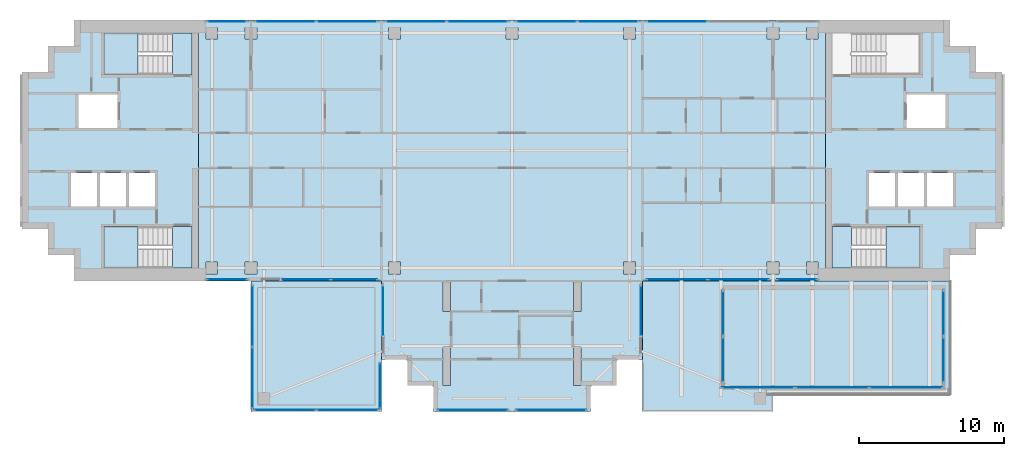
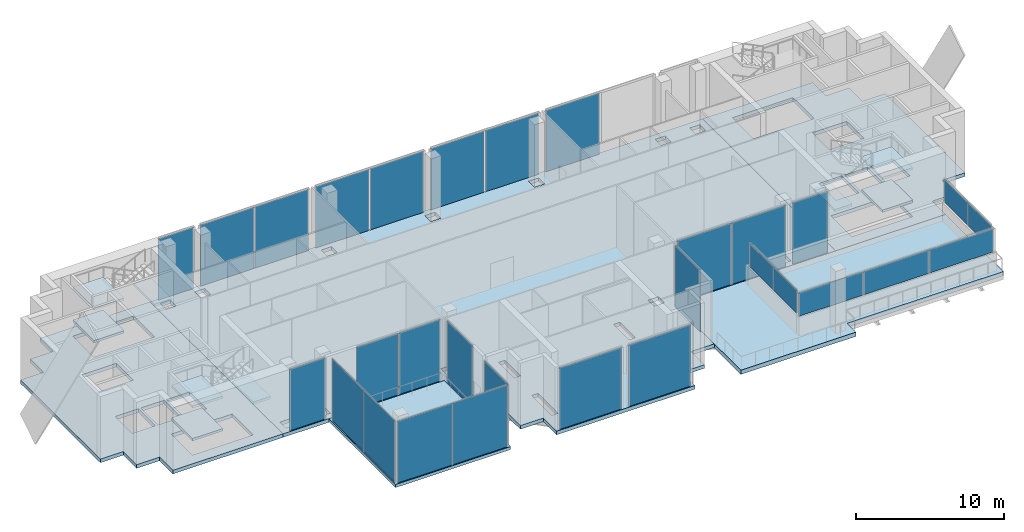
# One storey, part 5 of 14: 30 plates, 14 slabs, 22 elements without a shape of their own.
"""IFC4 building model written with IfcOpenShell, lengths in metres."""

from ifc_helpers import new_model, si_unit, direction, frame, origin, origin_2d, place, context, subcontext, project, spatial, polyline, rectangle, outline, extrude, material, layer, layer_set, type_object, element, aggregate, save


model = new_model("IFC4")

# Units and contexts
model_context = context("Model", 3, precision=1e-05, world=origin(), true_north=direction((0.0, 1.0)))
body_context = subcontext(model_context, "Body", "Model", "MODEL_VIEW")
ifc_project = project(units=[si_unit("LENGTHUNIT", "METRE"), si_unit("AREAUNIT", "SQUARE_METRE"), si_unit("VOLUMEUNIT", "CUBIC_METRE"), si_unit("PLANEANGLEUNIT", "RADIAN"), si_unit("MASSUNIT", "GRAM", prefix="KILO")], contexts=[model_context])

# Site, building, storey
site_placement = place(None, origin())
site = spatial("IfcSite", under=ifc_project, at=site_placement, CompositionType="ELEMENT")
building_placement = place(site_placement, origin())
building = spatial("IfcBuilding", under=site, at=building_placement, Name="Perihelion Cross Residences", CompositionType="ELEMENT")
storey_placement = place(building_placement, frame((0.0, 0.0, 285.0)))
storey = spatial("IfcBuildingStorey", under=building, at=storey_placement, Name="L73", CompositionType="ELEMENT", Elevation=285.0)

# Curtain wall, plate
ifc_material_1 = material(Name="Bronze anodised aluminium, tinted glazing", Category="aluminium")
curtain_wall_type_1 = type_object("IfcCurtainWallType", Name="CW3", PredefinedType="NOTDEFINED", material=ifc_material_1)
curtain_wall_1_placement = place(storey_placement, origin())
curtain_wall_1 = element("IfcCurtainWall", 1, at=curtain_wall_1_placement, inside=storey, type_object=curtain_wall_type_1, Name="Curtain wall CW3 L73 east side north bay 2", PredefinedType="NOTDEFINED")
ifc_material_2 = material(Name="Tinted laminated glass", Category="glass")
ifc_layer_1 = layer(ifc_material_2, 0.035888671875)
ifc_layer_set_1 = layer_set([ifc_layer_1], Name="CW3 panel")
plate_type_1 = type_object("IfcPlateType", Name="CW3 panel", PredefinedType="CURTAIN_PANEL", material=ifc_layer_set_1)
plate_1_placement = place(storey_placement, frame((11.3701171875, 8.89990234375, 0.0), z_axis=(0.0, 0.0, 1.0), x_axis=(-1.0, 0.0, 0.0)))
plate_1 = element("IfcPlate", 2, at=plate_1_placement, type_object=plate_type_1, Name="CW3 panel 2", PredefinedType="CURTAIN_PANEL", context=body_context, shape_type="SweptSolid", body=[
    extrude(rectangle(XDim=4.179931640625, YDim=0.035888671875, at=origin_2d()), origin(), (0.0, 0.0, 1.0), 5.070068359375),
])
aggregate(curtain_wall_1, [plate_1])

# Curtain wall, plates
curtain_wall_2_placement = place(storey_placement, origin())
curtain_wall_2 = element("IfcCurtainWall", 3, at=curtain_wall_2_placement, inside=storey, type_object=curtain_wall_type_1, Name="Curtain wall CW3 L73 north side east bay 1", PredefinedType="NOTDEFINED")
plate_2_placement = place(storey_placement, frame((6.6298828125, 8.89990234375, 0.0), z_axis=(0.0, 0.0, 1.0), x_axis=(-1.0, 0.0, 0.0)))
plate_2 = element("IfcPlate", 4, at=plate_2_placement, type_object=plate_type_1, Name="CW3 panel 1", PredefinedType="CURTAIN_PANEL", context=body_context, shape_type="SweptSolid", body=[
    extrude(rectangle(XDim=4.179931640625, YDim=0.035888671875, at=origin_2d()), origin(), (0.0, 0.0, 1.0), 5.070068359375),
])
plate_3_placement = place(storey_placement, frame((2.3701171875, 8.89990234375, 0.0), z_axis=(0.0, 0.0, 1.0), x_axis=(-1.0, 0.0, 0.0)))
plate_3 = element("IfcPlate", 5, at=plate_3_placement, type_object=plate_type_1, Name="CW3 panel 2", PredefinedType="CURTAIN_PANEL", context=body_context, shape_type="SweptSolid", body=[
    extrude(rectangle(XDim=4.179931640625, YDim=0.035888671875, at=origin_2d()), origin(), (0.0, 0.0, 1.0), 5.070068359375),
])
aggregate(curtain_wall_2, [plate_2, plate_3])

curtain_wall_3_placement = place(storey_placement, origin())
curtain_wall_3 = element("IfcCurtainWall", 6, at=curtain_wall_3_placement, inside=storey, type_object=curtain_wall_type_1, Name="Curtain wall CW3 L73 north side east bay 2", PredefinedType="NOTDEFINED")
plate_4_placement = place(storey_placement, frame((-2.3701171875, 8.89990234375, 0.0), z_axis=(0.0, 0.0, 1.0), x_axis=(-1.0, 0.0, 0.0)))
plate_4 = element("IfcPlate", 7, at=plate_4_placement, type_object=plate_type_1, Name="CW3 panel 1", PredefinedType="CURTAIN_PANEL", context=body_context, shape_type="SweptSolid", body=[
    extrude(rectangle(XDim=4.179931640625, YDim=0.035888671875, at=origin_2d()), origin(), (0.0, 0.0, 1.0), 5.070068359375),
])
plate_5_placement = place(storey_placement, frame((-6.6298828125, 8.89990234375, 0.0), z_axis=(0.0, 0.0, 1.0), x_axis=(-1.0, 0.0, 0.0)))
plate_5 = element("IfcPlate", 8, at=plate_5_placement, type_object=plate_type_1, Name="CW3 panel 2", PredefinedType="CURTAIN_PANEL", context=body_context, shape_type="SweptSolid", body=[
    extrude(rectangle(XDim=4.179931640625, YDim=0.035888671875, at=origin_2d()), origin(), (0.0, 0.0, 1.0), 5.070068359375),
])
aggregate(curtain_wall_3, [plate_4, plate_5])

curtain_wall_4_placement = place(storey_placement, origin())
curtain_wall_4 = element("IfcCurtainWall", 9, at=curtain_wall_4_placement, inside=storey, type_object=curtain_wall_type_1, Name="Curtain wall CW3 L73 west side north bay 1", PredefinedType="NOTDEFINED")
plate_6_placement = place(storey_placement, frame((-11.3701171875, 8.89990234375, 0.0), z_axis=(0.0, 0.0, 1.0), x_axis=(-1.0, 0.0, 0.0)))
plate_6 = element("IfcPlate", 10, at=plate_6_placement, type_object=plate_type_1, Name="CW3 panel 1", PredefinedType="CURTAIN_PANEL", context=body_context, shape_type="SweptSolid", body=[
    extrude(rectangle(XDim=4.179931640625, YDim=0.035888671875, at=origin_2d()), origin(), (0.0, 0.0, 1.0), 5.070068359375),
])
plate_7_placement = place(storey_placement, frame((-15.6298828125, 8.89990234375, 0.0), z_axis=(0.0, 0.0, 1.0), x_axis=(-1.0, 0.0, 0.0)))
plate_7 = element("IfcPlate", 11, at=plate_7_placement, type_object=plate_type_1, Name="CW3 panel 2", PredefinedType="CURTAIN_PANEL", context=body_context, shape_type="SweptSolid", body=[
    extrude(rectangle(XDim=4.179931640625, YDim=0.035888671875, at=origin_2d()), origin(), (0.0, 0.0, 1.0), 5.070068359375),
])
aggregate(curtain_wall_4, [plate_6, plate_7])

# Curtain wall, plate
curtain_wall_5_placement = place(storey_placement, origin())
curtain_wall_5 = element("IfcCurtainWall", 12, at=curtain_wall_5_placement, inside=storey, type_object=curtain_wall_type_1, Name="Curtain wall CW3 L73 west side north bay 2", PredefinedType="NOTDEFINED")
plate_8_placement = place(storey_placement, frame((-19.64990234375, 8.89990234375, 0.0), z_axis=(0.0, 0.0, 1.0), x_axis=(-1.0, 0.0, 0.0)))
plate_8 = element("IfcPlate", 13, at=plate_8_placement, type_object=plate_type_1, Name="CW3 panel 1", PredefinedType="CURTAIN_PANEL", context=body_context, shape_type="SweptSolid", body=[
    extrude(rectangle(XDim=2.739990234375, YDim=0.035888671875, at=origin_2d()), origin(), (0.0, 0.0, 1.0), 5.070068359375),
])
aggregate(curtain_wall_5, [plate_8])

curtain_wall_6_placement = place(storey_placement, origin())
curtain_wall_6 = element("IfcCurtainWall", 14, at=curtain_wall_6_placement, inside=storey, type_object=curtain_wall_type_1, Name="Curtain wall CW3 L73 west side south bay 1", PredefinedType="NOTDEFINED")
plate_9_placement = place(storey_placement, frame((-19.64990234375, -8.89990234375, 0.0), z_axis=(0.0, 0.0, 1.0), x_axis=(1.0, 0.0, 0.0)))
plate_9 = element("IfcPlate", 15, at=plate_9_placement, type_object=plate_type_1, Name="CW3 panel 1", PredefinedType="CURTAIN_PANEL", context=body_context, shape_type="SweptSolid", body=[
    extrude(rectangle(XDim=2.739990234375, YDim=0.035888671875, at=origin_2d()), origin(), (0.0, 0.0, 1.0), 5.070068359375),
])
aggregate(curtain_wall_6, [plate_9])

# Curtain wall, plates
curtain_wall_7_placement = place(storey_placement, origin())
curtain_wall_7 = element("IfcCurtainWall", 16, at=curtain_wall_7_placement, inside=storey, type_object=curtain_wall_type_1, Name="Curtain wall CW3 L73 west side south bay 2", PredefinedType="NOTDEFINED")
plate_10_placement = place(storey_placement, frame((-14.169921875, -8.89990234375, 0.0), z_axis=(0.0, 0.0, 1.0), x_axis=(1.0, 0.0, 0.0)))
plate_10 = element("IfcPlate", 17, at=plate_10_placement, type_object=plate_type_1, Name="CW3 panel 1", PredefinedType="CURTAIN_PANEL", context=body_context, shape_type="SweptSolid", body=[
    extrude(rectangle(XDim=3.260009765625, YDim=0.035888671875, at=origin_2d()), origin(), (0.0, 0.0, 1.0), 5.070068359375),
])
plate_11_placement = place(storey_placement, frame((-10.8701171875, -8.89990234375, 0.0), z_axis=(0.0, 0.0, 1.0), x_axis=(1.0, 0.0, 0.0)))
plate_11 = element("IfcPlate", 18, at=plate_11_placement, type_object=plate_type_1, Name="CW3 panel 2", PredefinedType="CURTAIN_PANEL", context=body_context, shape_type="SweptSolid", body=[
    extrude(rectangle(XDim=3.179931640625, YDim=0.035888671875, at=origin_2d()), origin(), (0.0, 0.0, 1.0), 5.070068359375),
])
aggregate(curtain_wall_7, [plate_10, plate_11])

# Curtain wall, plate
curtain_wall_8_placement = place(storey_placement, origin())
curtain_wall_8 = element("IfcCurtainWall", 19, at=curtain_wall_8_placement, inside=storey, type_object=curtain_wall_type_1, Name="Curtain wall CW3 L73 south side west bay 1", PredefinedType="NOTDEFINED")
plate_12_placement = place(storey_placement, frame((-8.89990234375, -10.989990234375, 0.0), z_axis=(0.0, 0.0, 1.0), x_axis=(0.0, -1.0, 0.0)))
plate_12 = element("IfcPlate", 20, at=plate_12_placement, type_object=plate_type_1, Name="CW3 panel 1", PredefinedType="CURTAIN_PANEL", context=body_context, shape_type="SweptSolid", body=[
    extrude(rectangle(XDim=3.419921875, YDim=0.035888671875, at=origin_2d()), origin(), (0.0, 0.0, 1.0), 5.070068359375),
])
aggregate(curtain_wall_8, [plate_12])

curtain_wall_9_placement = place(storey_placement, origin())
curtain_wall_9 = element("IfcCurtainWall", 21, at=curtain_wall_9_placement, inside=storey, type_object=curtain_wall_type_1, Name="Curtain wall CW3 L73 south tip south bay 1", PredefinedType="NOTDEFINED")
plate_13_placement = place(storey_placement, frame((-2.699951171875, -17.89990234375, 0.0), z_axis=(0.0, 0.0, 1.0), x_axis=(1.0, 0.0, 0.0)))
plate_13 = element("IfcPlate", 22, at=plate_13_placement, type_object=plate_type_1, Name="CW3 panel 1", PredefinedType="CURTAIN_PANEL", context=body_context, shape_type="SweptSolid", body=[
    extrude(rectangle(XDim=4.840087890625, YDim=0.035888671875, at=origin_2d()), origin(), (0.0, 0.0, 1.0), 5.070068359375),
])
aggregate(curtain_wall_9, [plate_13])

curtain_wall_10_placement = place(storey_placement, origin())
curtain_wall_10 = element("IfcCurtainWall", 23, at=curtain_wall_10_placement, inside=storey, type_object=curtain_wall_type_1, Name="Curtain wall CW3 L73 south tip south bay 2", PredefinedType="NOTDEFINED")
plate_14_placement = place(storey_placement, frame((2.699951171875, -17.89990234375, 0.0), z_axis=(0.0, 0.0, 1.0), x_axis=(1.0, 0.0, 0.0)))
plate_14 = element("IfcPlate", 24, at=plate_14_placement, type_object=plate_type_1, Name="CW3 panel 1", PredefinedType="CURTAIN_PANEL", context=body_context, shape_type="SweptSolid", body=[
    extrude(rectangle(XDim=4.840087890625, YDim=0.035888671875, at=origin_2d()), origin(), (0.0, 0.0, 1.0), 5.070068359375),
])
aggregate(curtain_wall_10, [plate_14])

curtain_wall_11_placement = place(storey_placement, origin())
curtain_wall_11 = element("IfcCurtainWall", 25, at=curtain_wall_11_placement, inside=storey, type_object=curtain_wall_type_1, Name="Curtain wall CW3 L73 south side east bay 1", PredefinedType="NOTDEFINED")
plate_15_placement = place(storey_placement, frame((8.89990234375, -10.989990234375, 0.0), z_axis=(0.0, 0.0, 1.0), x_axis=(0.0, 1.0, 0.0)))
plate_15 = element("IfcPlate", 26, at=plate_15_placement, type_object=plate_type_1, Name="CW3 panel 1", PredefinedType="CURTAIN_PANEL", context=body_context, shape_type="SweptSolid", body=[
    extrude(rectangle(XDim=3.419921875, YDim=0.035888671875, at=origin_2d()), origin(), (0.0, 0.0, 1.0), 5.070068359375),
])
aggregate(curtain_wall_11, [plate_15])

# Curtain wall, plates
curtain_wall_12_placement = place(storey_placement, origin())
curtain_wall_12 = element("IfcCurtainWall", 27, at=curtain_wall_12_placement, inside=storey, type_object=curtain_wall_type_1, Name="Curtain wall CW3 L73 east side south bay 1", PredefinedType="NOTDEFINED")
plate_16_placement = place(storey_placement, frame((11.3701171875, -8.89990234375, 0.0), z_axis=(0.0, 0.0, 1.0), x_axis=(1.0, 0.0, 0.0)))
plate_16 = element("IfcPlate", 28, at=plate_16_placement, type_object=plate_type_1, Name="CW3 panel 1", PredefinedType="CURTAIN_PANEL", context=body_context, shape_type="SweptSolid", body=[
    extrude(rectangle(XDim=4.179931640625, YDim=0.035888671875, at=origin_2d()), origin(), (0.0, 0.0, 1.0), 5.070068359375),
])
plate_17_placement = place(storey_placement, frame((15.6298828125, -8.89990234375, 0.0), z_axis=(0.0, 0.0, 1.0), x_axis=(1.0, 0.0, 0.0)))
plate_17 = element("IfcPlate", 29, at=plate_17_placement, type_object=plate_type_1, Name="CW3 panel 2", PredefinedType="CURTAIN_PANEL", context=body_context, shape_type="SweptSolid", body=[
    extrude(rectangle(XDim=4.179931640625, YDim=0.035888671875, at=origin_2d()), origin(), (0.0, 0.0, 1.0), 5.070068359375),
])
aggregate(curtain_wall_12, [plate_16, plate_17])

# Curtain wall, plate
curtain_wall_13_placement = place(storey_placement, origin())
curtain_wall_13 = element("IfcCurtainWall", 30, at=curtain_wall_13_placement, inside=storey, type_object=curtain_wall_type_1, Name="Curtain wall CW3 L73 east side south bay 2", PredefinedType="NOTDEFINED")
plate_18_placement = place(storey_placement, frame((19.64990234375, -8.89990234375, 0.0), z_axis=(0.0, 0.0, 1.0), x_axis=(1.0, 0.0, 0.0)))
plate_18 = element("IfcPlate", 31, at=plate_18_placement, type_object=plate_type_1, Name="CW3 panel 1", PredefinedType="CURTAIN_PANEL", context=body_context, shape_type="SweptSolid", body=[
    extrude(rectangle(XDim=2.739990234375, YDim=0.035888671875, at=origin_2d()), origin(), (0.0, 0.0, 1.0), 5.070068359375),
])
aggregate(curtain_wall_13, [plate_18])

# Curtain wall, plates
curtain_wall_14_placement = place(storey_placement, origin())
curtain_wall_14 = element("IfcCurtainWall", 32, at=curtain_wall_14_placement, inside=storey, type_object=curtain_wall_type_1, Name="Curtain wall CW3 L73 pool no. 2", PredefinedType="NOTDEFINED")
plate_19_placement = place(storey_placement, frame((16.978271484375, -16.35009765625, 1.550048828125), z_axis=(0.0, 0.0, 1.0), x_axis=(1.0, 0.0, 0.0)))
plate_19 = element("IfcPlate", 33, at=plate_19_placement, type_object=plate_type_1, Name="CW3 panel 1", PredefinedType="CURTAIN_PANEL", context=body_context, shape_type="SweptSolid", body=[
    extrude(rectangle(XDim=4.99658203125, YDim=0.035888671875, at=origin_2d()), origin(), (0.0, 0.0, 1.0), 1.919921875),
])
plate_20_placement = place(storey_placement, frame((22.074951171875, -16.35009765625, 1.550048828125), z_axis=(0.0, 0.0, 1.0), x_axis=(1.0, 0.0, 0.0)))
plate_20 = element("IfcPlate", 34, at=plate_20_placement, type_object=plate_type_1, Name="CW3 panel 2", PredefinedType="CURTAIN_PANEL", context=body_context, shape_type="SweptSolid", body=[
    extrude(rectangle(XDim=5.03662109375, YDim=0.035888671875, at=origin_2d()), origin(), (0.0, 0.0, 1.0), 1.919921875),
])
plate_21_placement = place(storey_placement, frame((27.171630859375, -16.35009765625, 1.550048828125), z_axis=(0.0, 0.0, 1.0), x_axis=(1.0, 0.0, 0.0)))
plate_21 = element("IfcPlate", 35, at=plate_21_placement, type_object=plate_type_1, Name="CW3 panel 3", PredefinedType="CURTAIN_PANEL", context=body_context, shape_type="SweptSolid", body=[
    extrude(rectangle(XDim=4.99658203125, YDim=0.035888671875, at=origin_2d()), origin(), (0.0, 0.0, 1.0), 1.919921875),
])
aggregate(curtain_wall_14, [plate_19, plate_20, plate_21])

curtain_wall_15_placement = place(storey_placement, origin())
curtain_wall_15 = element("IfcCurtainWall", 36, at=curtain_wall_15_placement, inside=storey, type_object=curtain_wall_type_1, Name="Curtain wall CW3 L73 pool no. 1", PredefinedType="NOTDEFINED")
plate_22_placement = place(storey_placement, frame((29.75, -14.41748046875, 1.550048828125), z_axis=(0.0, 0.0, 1.0), x_axis=(0.0, 1.0, 0.0)))
plate_22 = element("IfcPlate", 37, at=plate_22_placement, type_object=plate_type_1, Name="CW3 panel 1", PredefinedType="CURTAIN_PANEL", context=body_context, shape_type="SweptSolid", body=[
    extrude(rectangle(XDim=3.10498046875, YDim=0.035888671875, at=origin_2d()), origin(), (0.0, 0.0, 1.0), 1.919921875),
])
plate_23_placement = place(storey_placement, frame((29.75, -11.232421875, 1.550048828125), z_axis=(0.0, 0.0, 1.0), x_axis=(0.0, 1.0, 0.0)))
plate_23 = element("IfcPlate", 38, at=plate_23_placement, type_object=plate_type_1, Name="CW3 panel 2", PredefinedType="CURTAIN_PANEL", context=body_context, shape_type="SweptSolid", body=[
    extrude(rectangle(XDim=3.10498046875, YDim=0.035888671875, at=origin_2d()), origin(), (0.0, 0.0, 1.0), 1.919921875),
])
aggregate(curtain_wall_15, [plate_22, plate_23])

curtain_wall_16_placement = place(storey_placement, origin())
curtain_wall_16 = element("IfcCurtainWall", 39, at=curtain_wall_16_placement, inside=storey, type_object=curtain_wall_type_1, Name="Curtain wall CW3 L73 pool no. 3", PredefinedType="NOTDEFINED")
plate_24_placement = place(storey_placement, frame((14.550048828125, -14.41748046875, 1.550048828125), z_axis=(0.0, 0.0, 1.0), x_axis=(0.0, 1.0, 0.0)))
plate_24 = element("IfcPlate", 40, at=plate_24_placement, type_object=plate_type_1, Name="CW3 panel 1", PredefinedType="CURTAIN_PANEL", context=body_context, shape_type="SweptSolid", body=[
    extrude(rectangle(XDim=3.10498046875, YDim=0.035888671875, at=origin_2d()), origin(), (0.0, 0.0, 1.0), 1.919921875),
])
plate_25_placement = place(storey_placement, frame((14.550048828125, -11.232421875, 1.550048828125), z_axis=(0.0, 0.0, 1.0), x_axis=(0.0, 1.0, 0.0)))
plate_25 = element("IfcPlate", 41, at=plate_25_placement, type_object=plate_type_1, Name="CW3 panel 2", PredefinedType="CURTAIN_PANEL", context=body_context, shape_type="SweptSolid", body=[
    extrude(rectangle(XDim=3.10498046875, YDim=0.035888671875, at=origin_2d()), origin(), (0.0, 0.0, 1.0), 1.919921875),
])
aggregate(curtain_wall_16, [plate_24, plate_25])

# Curtain wall, plate
ifc_material_3 = material(Name="Bronze anodised aluminium, tinted glazing", Category="aluminium")
curtain_wall_type_2 = type_object("IfcCurtainWallType", Name="CW4", PredefinedType="NOTDEFINED", material=ifc_material_3)
curtain_wall_17_placement = place(storey_placement, origin())
curtain_wall_17 = element("IfcCurtainWall", 42, at=curtain_wall_17_placement, inside=storey, type_object=curtain_wall_type_2, Name="Curtain wall CW4 L73 pocket south-west 1 1", PredefinedType="NOTDEFINED")
ifc_material_4 = material(Name="Tinted laminated glass", Category="glass")
ifc_layer_2 = layer(ifc_material_4, 0.030029296875)
ifc_layer_set_2 = layer_set([ifc_layer_2], Name="CW4 panel")
plate_type_2 = type_object("IfcPlateType", Name="CW4 panel", PredefinedType="CURTAIN_PANEL", material=ifc_layer_set_2)
plate_26_placement = place(storey_placement, frame((-9.10009765625, -16.2294921875, 0.0), z_axis=(0.0, 0.0, 1.0), x_axis=(0.0, -1.0, 0.0)))
plate_26 = element("IfcPlate", 43, at=plate_26_placement, type_object=plate_type_2, Name="CW4 panel 1", PredefinedType="CURTAIN_PANEL", context=body_context, shape_type="SweptSolid", body=[
    extrude(rectangle(XDim=3.0810546875, YDim=0.030029296875, at=origin_2d()), origin(), (0.0, 0.0, 1.0), 5.090087890625),
])
aggregate(curtain_wall_17, [plate_26])

# Curtain wall, plates
curtain_wall_18_placement = place(storey_placement, origin())
curtain_wall_18 = element("IfcCurtainWall", 44, at=curtain_wall_18_placement, inside=storey, type_object=curtain_wall_type_2, Name="Curtain wall CW4 L73 pocket south-west 1 2", PredefinedType="NOTDEFINED")
plate_27_placement = place(storey_placement, frame((-11.35009765625, -17.89990234375, 0.0), z_axis=(0.0, 0.0, 1.0), x_axis=(-1.0, 0.0, 0.0)))
plate_27 = element("IfcPlate", 45, at=plate_27_placement, type_object=plate_type_2, Name="CW4 panel 1", PredefinedType="CURTAIN_PANEL", context=body_context, shape_type="SweptSolid", body=[
    extrude(rectangle(XDim=4.239990234375, YDim=0.030029296875, at=origin_2d()), origin(), (0.0, 0.0, 1.0), 5.090087890625),
])
plate_28_placement = place(storey_placement, frame((-15.64990234375, -17.89990234375, 0.0), z_axis=(0.0, 0.0, 1.0), x_axis=(-1.0, 0.0, 0.0)))
plate_28 = element("IfcPlate", 46, at=plate_28_placement, type_object=plate_type_2, Name="CW4 panel 2", PredefinedType="CURTAIN_PANEL", context=body_context, shape_type="SweptSolid", body=[
    extrude(rectangle(XDim=4.239990234375, YDim=0.030029296875, at=origin_2d()), origin(), (0.0, 0.0, 1.0), 5.090087890625),
])
aggregate(curtain_wall_18, [plate_27, plate_28])

curtain_wall_19_placement = place(storey_placement, origin())
curtain_wall_19 = element("IfcCurtainWall", 47, at=curtain_wall_19_placement, inside=storey, type_object=curtain_wall_type_2, Name="Curtain wall CW4 L73 pocket south-west 1 3", PredefinedType="NOTDEFINED")
plate_29_placement = place(storey_placement, frame((-17.89990234375, -15.669921875, 0.0), z_axis=(0.0, 0.0, 1.0), x_axis=(0.0, 1.0, 0.0)))
plate_29 = element("IfcPlate", 48, at=plate_29_placement, type_object=plate_type_2, Name="CW4 panel 1", PredefinedType="CURTAIN_PANEL", context=body_context, shape_type="SweptSolid", body=[
    extrude(rectangle(XDim=4.199951171875, YDim=0.030029296875, at=origin_2d()), origin(), (0.0, 0.0, 1.0), 5.090087890625),
])
plate_30_placement = place(storey_placement, frame((-17.89990234375, -11.409912109375, 0.0), z_axis=(0.0, 0.0, 1.0), x_axis=(0.0, 1.0, 0.0)))
plate_30 = element("IfcPlate", 49, at=plate_30_placement, type_object=plate_type_2, Name="CW4 panel 2", PredefinedType="CURTAIN_PANEL", context=body_context, shape_type="SweptSolid", body=[
    extrude(rectangle(XDim=4.199951171875, YDim=0.030029296875, at=origin_2d()), origin(), (0.0, 0.0, 1.0), 5.090087890625),
])
aggregate(curtain_wall_19, [plate_29, plate_30])

# Slabs
ifc_material_5 = material(Name="Concrete C40/50", Category="concrete")
ifc_layer_3 = layer(ifc_material_5, 0.300048828125)
ifc_layer_set_3 = layer_set([ifc_layer_3], Name="Core floor slab 300")
slab_type_1 = type_object("IfcSlabType", Name="Core floor slab 300", PredefinedType="FLOOR", material=ifc_layer_set_3)
slab_1_placement = place(storey_placement, frame((0.0, 0.0, -0.300048828125)))
element("IfcSlab", 50, at=slab_1_placement, inside=storey, type_object=slab_type_1, Name="East core floor slab", PredefinedType="FLOOR", context=body_context, shape_type="SweptSolid", body=[
    extrude(outline(polyline([(30.199951171875, 7.199951171875), (32.0, 7.199951171875), (32.0, 5.39990234375), (33.800048828125, 5.39990234375), (33.800048828125, -5.39990234375), (32.0, -5.39990234375), (32.0, -7.199951171875), (30.199951171875, -7.199951171875), (30.199951171875, -9.0), (21.60009765625, -9.0), (21.60009765625, 9.0), (30.199951171875, 9.0), (30.199951171875, 7.199951171875)]), holes=[polyline([(28.14990234375, -8.10009765625), (28.14990234375, -5.25), (23.405029296875, -5.25), (23.405029296875, -8.10009765625), (28.14990234375, -8.10009765625)]), polyline([(24.60009765625, -1.550048828125), (24.60009765625, -3.85009765625), (26.39990234375, -3.85009765625), (26.39990234375, -1.550048828125), (24.60009765625, -1.550048828125)]), polyline([(26.60009765625, -1.550048828125), (26.60009765625, -3.85009765625), (28.39990234375, -3.85009765625), (28.39990234375, -1.550048828125), (26.60009765625, -1.550048828125)]), polyline([(28.60009765625, -3.85009765625), (30.39990234375, -3.85009765625), (30.39990234375, -1.550048828125), (28.60009765625, -1.550048828125), (28.60009765625, -3.85009765625)]), polyline([(27.199951171875, 3.85009765625), (27.199951171875, 1.550048828125), (29.89990234375, 1.550048828125), (29.89990234375, 3.85009765625), (27.199951171875, 3.85009765625)]), polyline([(23.405029296875, 5.25), (28.14990234375, 5.25), (28.14990234375, 8.10009765625), (23.405029296875, 8.10009765625), (23.405029296875, 5.25)])]), origin(), (0.0, 0.0, 1.0), 0.300048828125),
])
slab_2_placement = place(storey_placement, frame((0.0, 0.0, -0.300048828125)))
element("IfcSlab", 51, at=slab_2_placement, inside=storey, type_object=slab_type_1, Name="West core floor slab", PredefinedType="FLOOR", context=body_context, shape_type="SweptSolid", body=[
    extrude(outline(polyline([(-30.199951171875, 7.199951171875), (-32.0, 7.199951171875), (-32.0, 5.39990234375), (-33.800048828125, 5.39990234375), (-33.800048828125, -5.39990234375), (-32.0, -5.39990234375), (-32.0, -7.199951171875), (-30.199951171875, -7.199951171875), (-30.199951171875, -9.0), (-21.60009765625, -9.0), (-21.60009765625, 9.0), (-30.199951171875, 9.0), (-30.199951171875, 7.199951171875)]), holes=[polyline([(-28.14990234375, -8.10009765625), (-28.14990234375, -5.25), (-23.405029296875, -5.25), (-23.405029296875, -8.10009765625), (-28.14990234375, -8.10009765625)]), polyline([(-24.60009765625, -1.550048828125), (-24.60009765625, -3.85009765625), (-26.39990234375, -3.85009765625), (-26.39990234375, -1.550048828125), (-24.60009765625, -1.550048828125)]), polyline([(-26.60009765625, -1.550048828125), (-26.60009765625, -3.85009765625), (-28.39990234375, -3.85009765625), (-28.39990234375, -1.550048828125), (-26.60009765625, -1.550048828125)]), polyline([(-28.60009765625, -3.85009765625), (-30.39990234375, -3.85009765625), (-30.39990234375, -1.550048828125), (-28.60009765625, -1.550048828125), (-28.60009765625, -3.85009765625)]), polyline([(-27.199951171875, 3.85009765625), (-27.199951171875, 1.550048828125), (-29.89990234375, 1.550048828125), (-29.89990234375, 3.85009765625), (-27.199951171875, 3.85009765625)]), polyline([(-23.405029296875, 5.25), (-28.14990234375, 5.25), (-28.14990234375, 8.10009765625), (-23.405029296875, 8.10009765625), (-23.405029296875, 5.25)])]), origin(), (0.0, 0.0, 1.0), 0.300048828125),
])

# Stair, slabs
ifc_material_6 = material(Name="Concrete C40/50", Category="concrete")
stair_type = type_object("IfcStairType", Name="Exit stair, half-turn", PredefinedType="HALF_TURN_STAIR", material=ifc_material_6)
stair_1_placement = place(storey_placement, origin())
stair_1 = element("IfcStair", 52, at=stair_1_placement, inside=storey, type_object=stair_type, Name="L73 East core exit stair 2", PredefinedType="HALF_TURN_STAIR")
ifc_material_7 = material(Name="Concrete C40/50", Category="concrete")
ifc_layer_4 = layer(ifc_material_7, 0.199951171875)
ifc_layer_set_4 = layer_set([ifc_layer_4], Name="Exit stair landing 200")
slab_type_2 = type_object("IfcSlabType", Name="Exit stair landing 200", PredefinedType="LANDING", material=ifc_layer_set_4)
slab_3_placement = place(storey_placement, frame((0.0, 0.0, 1.14990234375)))
slab_3 = element("IfcSlab", 53, at=slab_3_placement, type_object=slab_type_2, Name="ST-E2 landing 1", PredefinedType="LANDING", context=body_context, shape_type="SweptSolid", body=[
    extrude(outline(polyline([(25.780029296875, -8.10009765625), (28.14990234375, -8.10009765625), (28.14990234375, -5.25), (25.780029296875, -5.25), (25.780029296875, -8.10009765625)])), origin(), (0.0, 0.0, 1.0), 0.2001953125),
])
slab_4_placement = place(storey_placement, frame((0.0, 0.0, 2.5)))
slab_4 = element("IfcSlab", 54, at=slab_4_placement, type_object=slab_type_2, Name="ST-E2 landing 2", PredefinedType="LANDING", context=body_context, shape_type="SweptSolid", body=[
    extrude(outline(polyline([(22.050048828125, -8.10009765625), (23.39990234375, -8.10009765625), (23.39990234375, -5.25), (22.050048828125, -5.25), (22.050048828125, -8.10009765625)])), origin(), (0.0, 0.0, 1.0), 0.199951171875),
])
slab_5_placement = place(storey_placement, frame((0.0, 0.0, 3.85009765625)))
slab_5 = element("IfcSlab", 55, at=slab_5_placement, type_object=slab_type_2, Name="ST-E2 landing 3", PredefinedType="LANDING", context=body_context, shape_type="SweptSolid", body=[
    extrude(outline(polyline([(25.780029296875, -8.10009765625), (28.14990234375, -8.10009765625), (28.14990234375, -5.25), (25.780029296875, -5.25), (25.780029296875, -8.10009765625)])), origin(), (0.0, 0.0, 1.0), 0.199951171875),
])
aggregate(stair_1, [slab_3, slab_4, slab_5])

stair_2_placement = place(storey_placement, origin())
stair_2 = element("IfcStair", 56, at=stair_2_placement, inside=storey, type_object=stair_type, Name="L73 West core exit stair 1", PredefinedType="HALF_TURN_STAIR")
slab_6_placement = place(storey_placement, frame((0.0, 0.0, 1.14990234375)))
slab_6 = element("IfcSlab", 57, at=slab_6_placement, type_object=slab_type_2, Name="ST-W1 landing 1", PredefinedType="LANDING", context=body_context, shape_type="SweptSolid", body=[
    extrude(outline(polyline([(-25.780029296875, 8.10009765625), (-28.14990234375, 8.10009765625), (-28.14990234375, 5.25), (-25.780029296875, 5.25), (-25.780029296875, 8.10009765625)])), origin(), (0.0, 0.0, 1.0), 0.2001953125),
])
slab_7_placement = place(storey_placement, frame((0.0, 0.0, 2.5)))
slab_7 = element("IfcSlab", 58, at=slab_7_placement, type_object=slab_type_2, Name="ST-W1 landing 2", PredefinedType="LANDING", context=body_context, shape_type="SweptSolid", body=[
    extrude(outline(polyline([(-22.050048828125, 8.10009765625), (-23.39990234375, 8.10009765625), (-23.39990234375, 5.25), (-22.050048828125, 5.25), (-22.050048828125, 8.10009765625)])), origin(), (0.0, 0.0, 1.0), 0.199951171875),
])
slab_8_placement = place(storey_placement, frame((0.0, 0.0, 3.85009765625)))
slab_8 = element("IfcSlab", 59, at=slab_8_placement, type_object=slab_type_2, Name="ST-W1 landing 3", PredefinedType="LANDING", context=body_context, shape_type="SweptSolid", body=[
    extrude(outline(polyline([(-25.780029296875, 8.10009765625), (-28.14990234375, 8.10009765625), (-28.14990234375, 5.25), (-25.780029296875, 5.25), (-25.780029296875, 8.10009765625)])), origin(), (0.0, 0.0, 1.0), 0.199951171875),
])
aggregate(stair_2, [slab_6, slab_7, slab_8])

stair_3_placement = place(storey_placement, origin())
stair_3 = element("IfcStair", 60, at=stair_3_placement, inside=storey, type_object=stair_type, Name="L73 West core exit stair 2", PredefinedType="HALF_TURN_STAIR")
slab_9_placement = place(storey_placement, frame((0.0, 0.0, 1.14990234375)))
slab_9 = element("IfcSlab", 61, at=slab_9_placement, type_object=slab_type_2, Name="ST-W2 landing 1", PredefinedType="LANDING", context=body_context, shape_type="SweptSolid", body=[
    extrude(outline(polyline([(-25.780029296875, -5.25), (-28.14990234375, -5.25), (-28.14990234375, -8.10009765625), (-25.780029296875, -8.10009765625), (-25.780029296875, -5.25)])), origin(), (0.0, 0.0, 1.0), 0.2001953125),
])
slab_10_placement = place(storey_placement, frame((0.0, 0.0, 2.5)))
slab_10 = element("IfcSlab", 62, at=slab_10_placement, type_object=slab_type_2, Name="ST-W2 landing 2", PredefinedType="LANDING", context=body_context, shape_type="SweptSolid", body=[
    extrude(outline(polyline([(-22.050048828125, -5.25), (-23.39990234375, -5.25), (-23.39990234375, -8.10009765625), (-22.050048828125, -8.10009765625), (-22.050048828125, -5.25)])), origin(), (0.0, 0.0, 1.0), 0.199951171875),
])
slab_11_placement = place(storey_placement, frame((0.0, 0.0, 3.85009765625)))
slab_11 = element("IfcSlab", 63, at=slab_11_placement, type_object=slab_type_2, Name="ST-W2 landing 3", PredefinedType="LANDING", context=body_context, shape_type="SweptSolid", body=[
    extrude(outline(polyline([(-25.780029296875, -5.25), (-28.14990234375, -5.25), (-28.14990234375, -8.10009765625), (-25.780029296875, -8.10009765625), (-25.780029296875, -5.25)])), origin(), (0.0, 0.0, 1.0), 0.199951171875),
])
aggregate(stair_3, [slab_9, slab_10, slab_11])

# Slabs
ifc_material_8 = material(Name="Concrete C40/50, waterproofed", Category="concrete")
ifc_layer_5 = layer(ifc_material_8, 0.35009765625)
ifc_layer_set_5 = layer_set([ifc_layer_5], Name="Pool deck slab 350")
slab_type_3 = type_object("IfcSlabType", Name="Pool deck slab 350", PredefinedType="FLOOR", material=ifc_layer_set_5)
slab_12_placement = place(storey_placement, frame((0.0, 0.0, -0.35009765625)))
element("IfcSlab", 64, at=slab_12_placement, inside=storey, type_object=slab_type_3, Name="Slab PD1 L73 no. 1", PredefinedType="FLOOR", context=body_context, shape_type="SweptSolid", body=[
    extrude(outline(polyline([(9.0, -9.0), (30.199951171875, -9.0), (30.199951171875, -16.800048828125), (18.0, -16.800048828125), (18.0, -18.0), (9.0, -18.0), (9.0, -9.0)])), origin(), (0.0, 0.0, 1.0), 0.35009765625),
])
ifc_material_9 = material(Name="Concrete C50/60", Category="concrete")
ifc_layer_6 = layer(ifc_material_9, 0.300048828125)
ifc_layer_set_6 = layer_set([ifc_layer_6], Name="Sky floor post-tensioned slab concrete C50/60")
slab_type_4 = type_object("IfcSlabType", Name="Sky floor post-tensioned slab concrete C50/60", PredefinedType="FLOOR", material=ifc_layer_set_6)
slab_13_placement = place(storey_placement, frame((0.0, 0.0, -0.300048828125)))
element("IfcSlab", 65, at=slab_13_placement, inside=storey, type_object=slab_type_4, Name="Slab SL9 L73 1 no. 1", PredefinedType="FLOOR", context=body_context, shape_type="SweptSolid", body=[
    extrude(outline(polyline([(-9.0, 9.0), (9.0, 9.0), (21.60009765625, 9.0), (21.60009765625, -9.0), (9.0, -9.0), (9.0, -14.39990234375), (7.199951171875, -14.39990234375), (7.199951171875, -16.199951171875), (5.39990234375, -16.199951171875), (5.39990234375, -18.0), (-5.39990234375, -18.0), (-5.39990234375, -16.199951171875), (-7.199951171875, -16.199951171875), (-7.199951171875, -14.39990234375), (-9.0, -14.39990234375), (-9.0, -9.0), (-21.60009765625, -9.0), (-21.60009765625, 9.0), (-9.0, 9.0)]), holes=[polyline([(-4.25, -13.5), (-4.75, -13.5), (-4.75, -16.199951171875), (-4.25, -16.199951171875), (-4.25, -13.5)]), polyline([(-4.25, -9.0), (-4.75, -9.0), (-4.75, -11.10009765625), (-4.25, -11.10009765625), (-4.25, -9.0)]), polyline([(-20.300048828125, -7.699951171875), (-21.10009765625, -7.699951171875), (-21.10009765625, -8.5), (-20.300048828125, -8.5), (-20.300048828125, -7.699951171875)]), polyline([(-17.60009765625, -7.699951171875), (-18.39990234375, -7.699951171875), (-18.39990234375, -8.5), (-17.60009765625, -8.5), (-17.60009765625, -7.699951171875)]), polyline([(-7.699951171875, -7.699951171875), (-8.5, -7.699951171875), (-8.5, -8.5), (-7.699951171875, -8.5), (-7.699951171875, -7.699951171875)]), polyline([(-20.300048828125, 8.5), (-21.10009765625, 8.5), (-21.10009765625, 7.699951171875), (-20.300048828125, 7.699951171875), (-20.300048828125, 8.5)]), polyline([(-17.60009765625, 7.699951171875), (-17.60009765625, 8.5), (-18.39990234375, 8.5), (-18.39990234375, 7.699951171875), (-17.60009765625, 7.699951171875)]), polyline([(-7.699951171875, 7.699951171875), (-7.699951171875, 8.5), (-8.5, 8.5), (-8.5, 7.699951171875), (-7.699951171875, 7.699951171875)]), polyline([(0.39990234375, 8.5), (-0.39990234375, 8.5), (-0.39990234375, 7.699951171875), (0.39990234375, 7.699951171875), (0.39990234375, 8.5)]), polyline([(4.75, -13.5), (4.25, -13.5), (4.25, -16.199951171875), (4.75, -16.199951171875), (4.75, -13.5)]), polyline([(4.75, -9.0), (4.25, -9.0), (4.25, -11.10009765625), (4.75, -11.10009765625), (4.75, -9.0)]), polyline([(8.5, -8.5), (8.5, -7.699951171875), (7.699951171875, -7.699951171875), (7.699951171875, -8.5), (8.5, -8.5)]), polyline([(18.39990234375, -8.5), (18.39990234375, -7.699951171875), (17.60009765625, -7.699951171875), (17.60009765625, -8.5), (18.39990234375, -8.5)]), polyline([(21.10009765625, -7.699951171875), (20.300048828125, -7.699951171875), (20.300048828125, -8.5), (21.10009765625, -8.5), (21.10009765625, -7.699951171875)]), polyline([(8.5, 8.5), (7.699951171875, 8.5), (7.699951171875, 7.699951171875), (8.5, 7.699951171875), (8.5, 8.5)]), polyline([(18.39990234375, 7.699951171875), (18.39990234375, 8.5), (17.60009765625, 8.5), (17.60009765625, 7.699951171875), (18.39990234375, 7.699951171875)]), polyline([(21.10009765625, 7.699951171875), (21.10009765625, 8.5), (20.300048828125, 8.5), (20.300048828125, 7.699951171875), (21.10009765625, 7.699951171875)])]), origin(), (0.0, 0.0, 1.0), 0.300048828125),
])
ifc_material_10 = material(Name="Concrete C40/50", Category="concrete")
ifc_layer_7 = layer(ifc_material_10, 0.25)
ifc_layer_set_7 = layer_set([ifc_layer_7], Name="Winter garden slab")
slab_type_5 = type_object("IfcSlabType", Name="Winter garden slab", PredefinedType="FLOOR", material=ifc_layer_set_7)
slab_14_placement = place(storey_placement, frame((0.0, 0.0, -0.25)))
element("IfcSlab", 66, at=slab_14_placement, inside=storey, type_object=slab_type_5, Name="Slab BK3 L73 pocket south-west", PredefinedType="FLOOR", context=body_context, shape_type="SweptSolid", body=[
    extrude(outline(polyline([(-9.0, -18.0), (-9.0, -9.0), (-18.0, -9.0), (-18.0, -18.0), (-9.0, -18.0)])), origin(), (0.0, 0.0, 1.0), 0.25),
])

save(model, "model.ifc")
